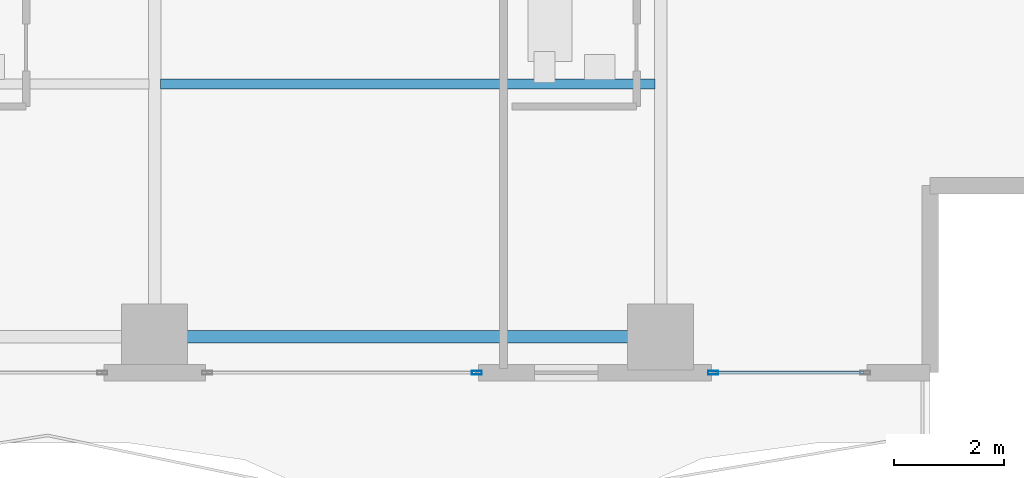
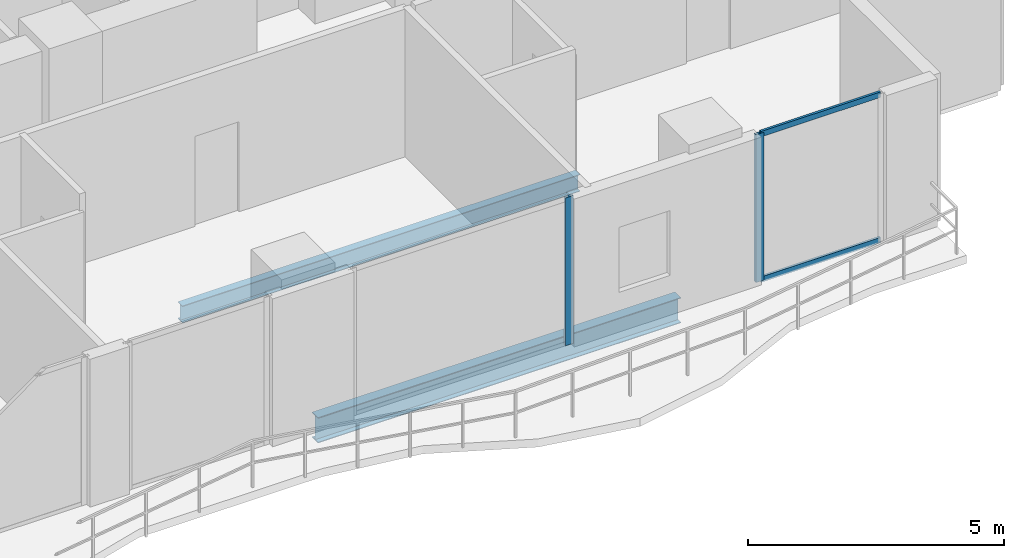
# One storey, part 10 of 33: 4 members, 2 beams, 2 elements without a shape of their own.
"""IFC4 building model written with IfcOpenShell, lengths in metres."""

from ifc_helpers import new_model, si_unit, direction, frame, origin, origin_2d, place, context, subcontext, project, spatial, hollow_rectangle, i_section, extrude, material, layer, layer_set, material_profile, profile_set, type_object, element, aggregate, save


model = new_model("IFC4")

# Units and contexts
model_context = context("Model", 3, precision=1e-05, world=origin(), true_north=direction((0.0, 1.0)))
body_context = subcontext(model_context, "Body", "Model", "MODEL_VIEW")
ifc_project = project(units=[si_unit("LENGTHUNIT", "METRE"), si_unit("AREAUNIT", "SQUARE_METRE"), si_unit("VOLUMEUNIT", "CUBIC_METRE"), si_unit("PLANEANGLEUNIT", "RADIAN"), si_unit("MASSUNIT", "GRAM", prefix="KILO")], contexts=[model_context])

# Site, building, storey
site_placement = place(None, origin())
site = spatial("IfcSite", under=ifc_project, at=site_placement, CompositionType="ELEMENT")
building_placement = place(site_placement, origin())
building = spatial("IfcBuilding", under=site, at=building_placement, Name="Zuhayl Quay Hotel", CompositionType="ELEMENT")
storey_placement = place(building_placement, frame((0.0, 0.0, 211.14990234375)))
storey = spatial("IfcBuildingStorey", under=building, at=storey_placement, Name="L53", CompositionType="ELEMENT", Elevation=211.14990234375)

# Beams
ifc_material_1 = material(Name="Steel ASTM A992 Grade 50", Category="steel")
ifc_material_profile_1 = material_profile(ifc_material_1, i_section(OverallWidth=0.22802734375, OverallDepth=0.60693359375, WebThickness=0.01123046875, FlangeThickness=0.017333984375, at=origin_2d()), Name="W24X76")
ifc_profile_set_1 = profile_set([ifc_material_profile_1], Name="Steel ASTM A992 Grade 50")
beam_type_1 = type_object("IfcBeamType", Name="BM_B3_W24X76", PredefinedType="BEAM", material=ifc_profile_set_1)
beam_1_placement = place(storey_placement, frame((5.10009765625, -6.949951171875, -0.5234375), z_axis=(1.0, 0.0, 0.0), x_axis=(0.0, 1.0, 0.0)))
element("IfcBeam", 1, at=beam_1_placement, inside=storey, type_object=beam_type_1, Name="L53 Floor Beam RG_L53_03", PredefinedType="BEAM", context=body_context, shape_type="SweptSolid", body=[
    extrude(i_section(OverallWidth=0.22802734375, OverallDepth=0.60693359375, WebThickness=0.01123046875, FlangeThickness=0.017333984375, at=origin_2d()), origin(), (0.0, 0.0, 1.0), 8.199951171875),
])
ifc_material_profile_2 = material_profile(ifc_material_1, i_section(OverallWidth=0.177978515625, OverallDepth=0.406005859375, WebThickness=0.0078125, FlangeThickness=0.0126953125, at=origin_2d()), Name="W16X40")
ifc_profile_set_2 = profile_set([ifc_material_profile_2], Name="Steel ASTM A992 Grade 50")
beam_type_2 = type_object("IfcBeamType", Name="BM_J2B_W16X40", PredefinedType="JOIST", material=ifc_profile_set_2)
beam_2_placement = place(storey_placement, frame((4.7060546875, -2.35009765625, -0.4228515625), z_axis=(1.0, 0.0, 0.0), x_axis=(0.0, 1.0, 0.0)))
element("IfcBeam", 2, at=beam_2_placement, inside=storey, type_object=beam_type_2, Name="L53 Floor Beam FJ_L53_7_3", PredefinedType="JOIST", context=body_context, shape_type="SweptSolid", body=[
    extrude(i_section(OverallWidth=0.177978515625, OverallDepth=0.406005859375, WebThickness=0.0078125, FlangeThickness=0.0126953125, at=origin_2d()), origin(), (0.0, 0.0, 1.0), 8.988037109375),
])

# Curtain wall, member
ifc_material_2 = material(Name="Anodised Aluminium 6063-T6", Category="aluminium")
ifc_layer = layer(ifc_material_2, 0.175048828125, Name="Anodised Aluminium 6063-T6", Category="aluminium")
ifc_layer_set = layer_set([ifc_layer], Name="Anodised Aluminium 6063-T6")
curtain_wall_type = type_object("IfcCurtainWallType", Name="CW_SYS_Z3", PredefinedType="USERDEFINED", material=ifc_layer_set)
curtain_wall_1_placement = place(storey_placement, origin())
curtain_wall_1 = element("IfcCurtainWall", 3, at=curtain_wall_1_placement, inside=storey, type_object=curtain_wall_type, Name="L53 Curtain Wall ENV_L53_S_CW1", ObjectType="UNITISED CURTAIN WALL", PredefinedType="USERDEFINED")
ifc_material_3 = material(Name="Black-anodised aluminium 6063-T6", Category="aluminium")
ifc_material_profile_3 = material_profile(ifc_material_3, hollow_rectangle(XDim=0.06494140625, YDim=0.179931640625, WallThickness=0.00341796875, at=origin_2d()), Name="ALU180X65")
ifc_profile_set_3 = profile_set([ifc_material_profile_3], Name="Black-anodised aluminium 6063-T6")
member_type_1 = type_object("IfcMemberType", Name="MB_CW_MUL_180", PredefinedType="MULLION", material=ifc_profile_set_3)
member_1_placement = place(storey_placement, frame((14.75244140625, -7.60009765625, 0.0), z_axis=(0.0, 0.0, 1.0), x_axis=(0.0, -1.0, 0.0)))
member_1 = element("IfcMember", 4, at=member_1_placement, type_object=member_type_1, Name="CW-Z3 mullion 2", PredefinedType="MULLION", context=body_context, shape_type="SweptSolid", body=[
    extrude(hollow_rectangle(XDim=0.06494140625, YDim=0.179931640625, WallThickness=0.00341796875, at=origin_2d()), origin(), (0.0, 0.0, 1.0), 3.530029296875),
])

curtain_wall_2_placement = place(storey_placement, origin())
curtain_wall_2 = element("IfcCurtainWall", 5, at=curtain_wall_2_placement, inside=storey, type_object=curtain_wall_type, Name="L53 Curtain Wall ENV_L53_S_CW2", ObjectType="UNITISED CURTAIN WALL", PredefinedType="USERDEFINED")
member_2_placement = place(storey_placement, frame((10.45751953125, -7.60009765625, 0.0), z_axis=(0.0, 0.0, 1.0), x_axis=(0.0, -1.0, 0.0)))
member_2 = element("IfcMember", 6, at=member_2_placement, type_object=member_type_1, Name="CW-Z3 mullion 1", PredefinedType="MULLION", context=body_context, shape_type="SweptSolid", body=[
    extrude(hollow_rectangle(XDim=0.06494140625, YDim=0.179931640625, WallThickness=0.00341796875, at=origin_2d()), origin(), (0.0, 0.0, 1.0), 3.530029296875),
])
aggregate(curtain_wall_2, [member_2])

# Member
ifc_material_profile_4 = material_profile(ifc_material_3, hollow_rectangle(XDim=0.054931640625, YDim=0.1298828125, WallThickness=0.0029296875, at=origin_2d()), Name="ALU130X55")
ifc_profile_set_4 = profile_set([ifc_material_profile_4], Name="Black-anodised aluminium 6063-T6")
member_type_2 = type_object("IfcMemberType", Name="MB_CW_TRN_130", PredefinedType="USERDEFINED", material=ifc_profile_set_4)
member_3_placement = place(storey_placement, frame((17.485107421875, -7.60009765625, 0.027587890625), z_axis=(-1.0, 0.0, 0.0), x_axis=(0.0, -1.0, 0.0)))
member_3 = element("IfcMember", 7, at=member_3_placement, type_object=member_type_2, Name="CW-Z3 transom 1.1", ObjectType="TRANSOM", PredefinedType="USERDEFINED", context=body_context, shape_type="SweptSolid", body=[
    extrude(hollow_rectangle(XDim=0.054931640625, YDim=0.1298828125, WallThickness=0.0029296875, at=origin_2d()), origin(), (0.0, 0.0, 1.0), 2.7001953125),
])

member_4_placement = place(storey_placement, frame((17.485107421875, -7.60009765625, 3.502685546875), z_axis=(-1.0, 0.0, 0.0), x_axis=(0.0, -1.0, 0.0)))
member_4 = element("IfcMember", 8, at=member_4_placement, type_object=member_type_2, Name="CW-Z3 transom 1.2", ObjectType="TRANSOM", PredefinedType="USERDEFINED", context=body_context, shape_type="SweptSolid", body=[
    extrude(hollow_rectangle(XDim=0.054931640625, YDim=0.1298828125, WallThickness=0.0029296875, at=origin_2d()), origin(), (0.0, 0.0, 1.0), 2.7001953125),
])

aggregate(curtain_wall_1, [member_1, member_3, member_4])

save(model, "model.ifc")
